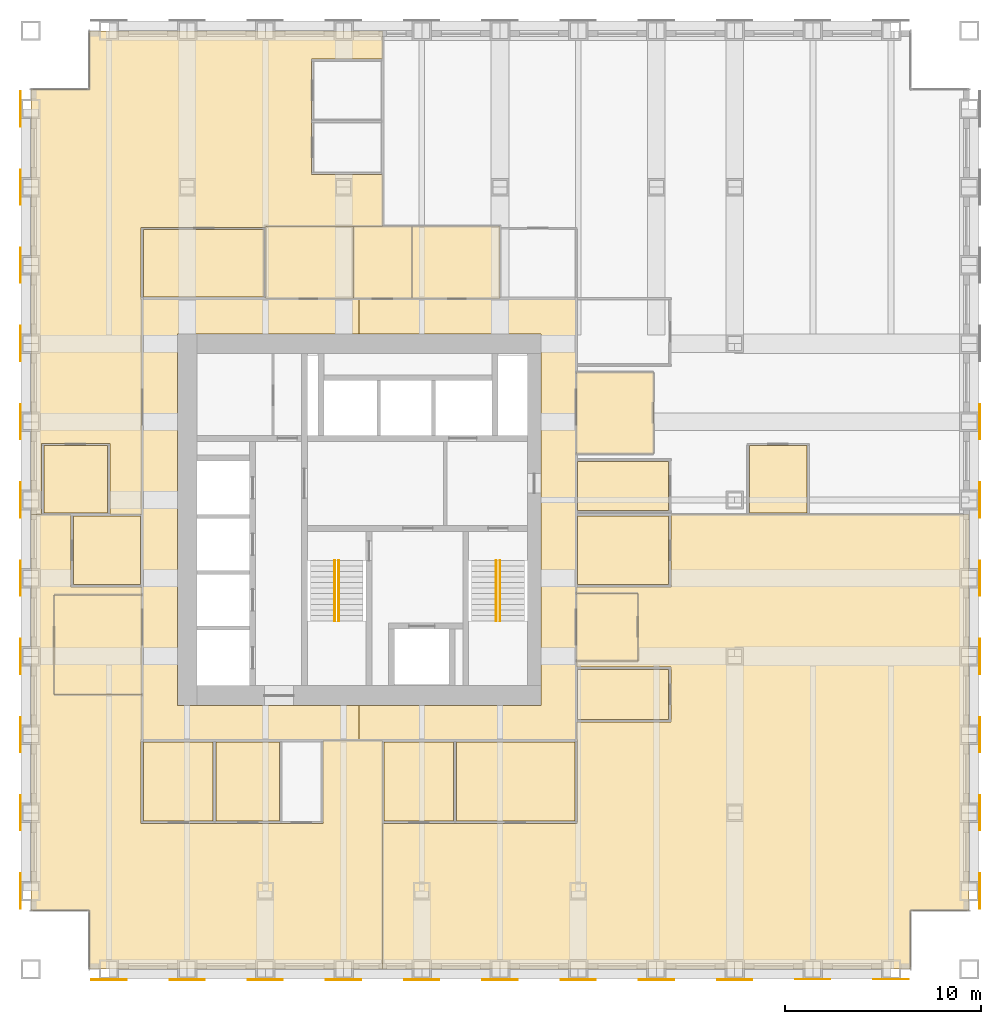
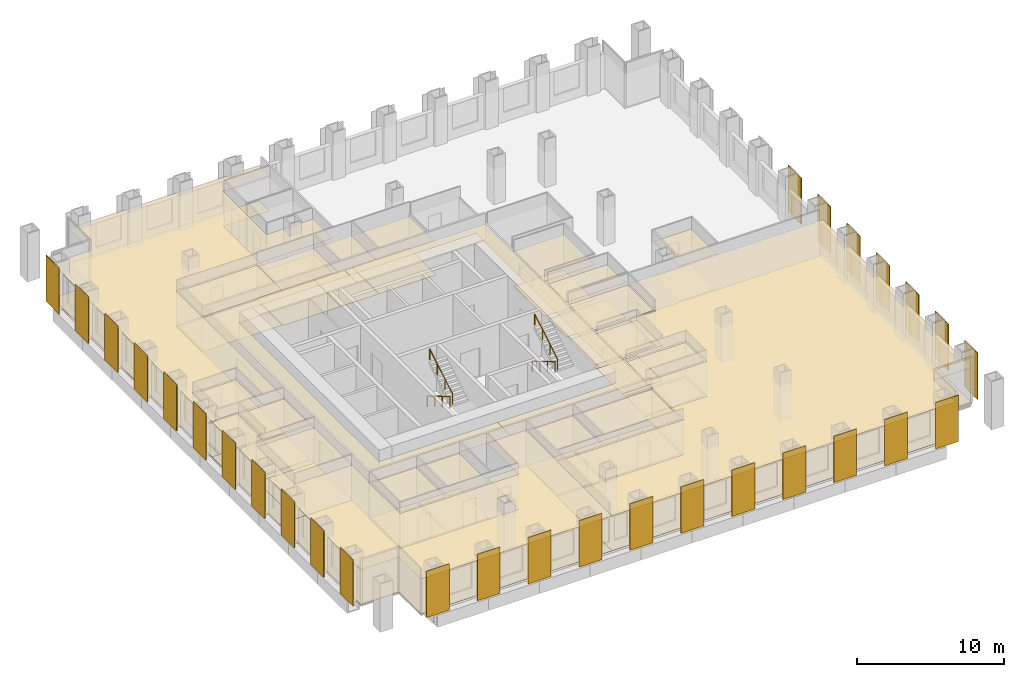
# One storey, part 15 of 16: 42 coverings, 29 shading devices, 4 railings.
"""IFC4 building model written with IfcOpenShell, lengths in metres."""

import ifcopenshell
import ifcopenshell.guid

model = None  # the IFC model being written
_history = None  # IfcOwnerHistory: only IFC2X3 demands one
_inside = {}  # id of a spatial element -> (the spatial element, [elements in it])
_under = {}  # id of a project, library or spatial element -> (it, [spatial elements below it])
_declared = {}  # id of a project -> (the project, [libraries it declares])
_typed = {}  # id of a type object -> (the type object, [elements of that type])
_made_of = {}  # id of a material, layer set ... -> (it, [elements and type objects made of it])


def new_model(schema):
    """Start an empty IFC model of exactly this schema.

    Asked for "IFC4X3", IfcOpenShell would pick the latest addendum, in which some entities
    have other attributes; the version numbers below select the first issue.
    IFC2X3 requires an IfcOwnerHistory on every rooted entity: one is made here for all.
    """
    global model, _history
    if schema == "IFC4X3":
        model = ifcopenshell.file(schema_version=(4, 3, 0, 0))
    else:
        model = ifcopenshell.file(schema=schema)
    _inside.clear()
    _under.clear()
    _declared.clear()
    _typed.clear()
    _made_of.clear()
    _history = None
    if model.schema == "IFC2X3":
        org = make("IfcOrganization", Name="unknown")
        user = make(
            "IfcPersonAndOrganization",
            ThePerson=make("IfcPerson", FamilyName="unknown"),
            TheOrganization=org,
        )
        app = make(
            "IfcApplication",
            ApplicationDeveloper=org,
            Version="unknown",
            ApplicationFullName="unknown",
            ApplicationIdentifier="unknown",
        )
        _history = make(
            "IfcOwnerHistory",
            OwningUser=user,
            OwningApplication=app,
            ChangeAction="ADDED",
            CreationDate=0,
        )
    return model


def make(cls, **values):
    """One entity of the class cls with the attributes given. An attribute that is None is left unset."""
    return model.create_entity(
        cls, **{name: value for name, value in values.items() if value is not None}
    )


def rooted(cls, **values):
    """An entity with a GlobalId (a new one), such as an element, a storey or a relation."""
    return make(cls, GlobalId=ifcopenshell.guid.new(), OwnerHistory=_history, **values)


def si_unit(unit_type, name, prefix=None):
    """IfcSIUnit, for example si_unit("LENGTHUNIT", "METRE", prefix="MILLI")."""
    return make("IfcSIUnit", UnitType=unit_type, Prefix=prefix, Name=name)


def assignment(units):
    """IfcUnitAssignment: the units of a project."""
    return None if units is None else make("IfcUnitAssignment", Units=units)


def point(xyz):
    """IfcCartesianPoint."""
    return None if xyz is None else make("IfcCartesianPoint", Coordinates=xyz)


def direction(xyz):
    """IfcDirection."""
    return None if xyz is None else make("IfcDirection", DirectionRatios=xyz)


def frame(location, z_axis=None, x_axis=None):
    """IfcAxis2Placement3D, a coordinate frame: its origin and axes. An axis left out is left unset."""
    return make(
        "IfcAxis2Placement3D",
        Location=point(location),
        Axis=direction(z_axis),
        RefDirection=direction(x_axis),
    )


def frame_2d(location, x_axis=None):
    """IfcAxis2Placement2D, a coordinate frame in the plane: its origin and x axis."""
    return make(
        "IfcAxis2Placement2D", Location=point(location), RefDirection=direction(x_axis)
    )


def origin():
    """The frame at (0, 0, 0) with its axes left unset."""
    return frame((0.0, 0.0, 0.0))


def origin_2d():
    """The frame at (0, 0) in the plane with its x axis left unset."""
    return frame_2d((0.0, 0.0))


def place(relative_to, where):
    """IfcLocalPlacement: puts the frame where relative to a parent placement (None: the world)."""
    return make(
        "IfcLocalPlacement", PlacementRelTo=relative_to, RelativePlacement=where
    )


def context(
    kind, dimensions, precision=None, world=None, true_north=None, identifier=None
):
    """IfcGeometricRepresentationContext, for example the 3D "Model" context."""
    return make(
        "IfcGeometricRepresentationContext",
        ContextIdentifier=identifier,
        ContextType=kind,
        CoordinateSpaceDimension=dimensions,
        Precision=precision,
        WorldCoordinateSystem=world,
        TrueNorth=true_north,
    )


def subcontext(parent, identifier, kind, view, scale=None):
    """IfcGeometricRepresentationSubContext, for example "Body" below "Model"."""
    return make(
        "IfcGeometricRepresentationSubContext",
        ContextIdentifier=identifier,
        ContextType=kind,
        ParentContext=parent,
        TargetScale=scale,
        TargetView=view,
    )


def project(units=None, contexts=None):
    """IfcProject with its units and contexts."""
    return rooted(
        "IfcProject",
        Name="project",
        RepresentationContexts=contexts,
        UnitsInContext=assignment(units),
    )


def spatial(cls, under=None, at=None, **own):
    """A site, building, storey or space (cls), placed at a placement, below another one or the project."""
    s = rooted(cls, ObjectPlacement=at, **own)
    if under is not None:
        _under.setdefault(under.id(), (under, []))[1].append(s)
    return s


def polyline(points):
    """IfcPolyline through the points."""
    return make("IfcPolyline", Points=[point(p) for p in points])


def profile(cls, at=None, kind="AREA", **sizes):
    """A parametric profile (cls). Its sizes go by their IFC names, for example OverallWidth=200.0."""
    return make(cls, ProfileType=kind, Position=at, **sizes)


def rectangle(**sizes):
    """IfcRectangleProfileDef."""
    return profile("IfcRectangleProfileDef", **sizes)


def circle(**sizes):
    """IfcCircleProfileDef."""
    return profile("IfcCircleProfileDef", **sizes)


def outline(outer, holes=None, kind="AREA"):
    """IfcArbitraryClosedProfileDef: a profile drawn as a closed curve; with holes, ...WithVoids."""
    if holes is None:
        return make("IfcArbitraryClosedProfileDef", ProfileType=kind, OuterCurve=outer)
    return make(
        "IfcArbitraryProfileDefWithVoids",
        ProfileType=kind,
        OuterCurve=outer,
        InnerCurves=holes,
    )


def extrude(swept, where, along, depth):
    """IfcExtrudedAreaSolid: the profile swept, set in the frame where, extruded along a direction by depth."""
    return make(
        "IfcExtrudedAreaSolid",
        SweptArea=swept,
        Position=where,
        ExtrudedDirection=direction(along),
        Depth=depth,
    )


def shape(context_of_items, identifier, shape_type, items):
    """IfcShapeRepresentation: the items that make up one representation, for example the "Body"."""
    return make(
        "IfcShapeRepresentation",
        ContextOfItems=context_of_items,
        RepresentationIdentifier=identifier,
        RepresentationType=shape_type,
        Items=items,
    )


def material(Name=None, Category=None):
    """IfcMaterial."""
    return make("IfcMaterial", Name=Name, Category=Category)


def layer(
    of_material, thickness, ventilated=None, Name=None, Category=None, Priority=None
):
    """IfcMaterialLayer: one layer of a wall or slab, of a material (None: an air gap)."""
    return make(
        "IfcMaterialLayer",
        Material=of_material,
        LayerThickness=thickness,
        IsVentilated=ventilated,
        Name=Name,
        Category=Category,
        Priority=Priority,
    )


def layer_set(layers, Name=None):
    """IfcMaterialLayerSet."""
    return make("IfcMaterialLayerSet", MaterialLayers=layers, LayerSetName=Name)


def made_of(thing, what):
    """Note that an element or type object is made of a material, layer set ...; save() writes the relation."""
    if what is not None:
        _made_of.setdefault(what.id(), (what, []))[1].append(thing)
    return thing


def type_object(cls, material=None, **own):
    """A type object (cls), such as IfcWallType, which elements share."""
    return made_of(rooted(cls, **own), material)


def element(
    cls,
    number,
    at=None,
    inside=None,
    cuts=None,
    type_object=None,
    material=None,
    context=None,
    identifier="Body",
    shape_type=None,
    held_by="IfcProductDefinitionShape",
    body=None,
    shapes=None,
    **own,
):
    """One element of the class cls, such as IfcWall. Its Tag is "e" and its number.

    at: its placement. inside: the storey or other place that contains it. cuts: it is an
    opening in that element (IfcRelVoidsElement). A single representation is given by context,
    identifier, shape_type and body (its items); several are given by shapes. held_by: the class
    of the entity that holds the representations. save() writes the other relations.
    """
    e = rooted(cls, Tag="e%d" % number, ObjectPlacement=at, **own)
    if body is not None:
        shapes = [shape(context, identifier, shape_type, body)]
    if shapes is not None:
        e.Representation = make(held_by, Representations=shapes)
    if inside is not None:
        _inside.setdefault(inside.id(), (inside, []))[1].append(e)
    if cuts is not None:
        rooted(
            "IfcRelVoidsElement", RelatingBuildingElement=cuts, RelatedOpeningElement=e
        )
    if type_object is not None:
        _typed.setdefault(type_object.id(), (type_object, []))[1].append(e)
    return made_of(e, material)


def aggregate(whole, parts):
    """IfcRelAggregates: a whole, such as a stair, and the parts it consists of."""
    return rooted("IfcRelAggregates", RelatingObject=whole, RelatedObjects=parts)


def save(model, path):
    """Write the relations noted so far, then the file.

    IfcRelAggregates (storeys below a building ...), IfcRelContainedInSpatialStructure (elements
    in a storey), IfcRelDefinesByType, IfcRelAssociatesMaterial and IfcRelDeclares: one each for
    every whole, place, type object, material and project.
    """
    for whole, parts in _under.values():
        aggregate(whole, parts)
    for where, things in _inside.values():
        rooted(
            "IfcRelContainedInSpatialStructure",
            RelatedElements=things,
            RelatingStructure=where,
        )
    for kind, things in _typed.values():
        rooted("IfcRelDefinesByType", RelatedObjects=things, RelatingType=kind)
    for what, things in _made_of.values():
        rooted("IfcRelAssociatesMaterial", RelatedObjects=things, RelatingMaterial=what)
    for by, libraries in _declared.values():
        rooted("IfcRelDeclares", RelatingContext=by, RelatedDefinitions=libraries)
    model.write(path)


model = new_model("IFC4")

# Units and contexts
model_context = context("Model", 3, precision=1e-05, world=origin(), true_north=direction((0.0, 1.0)))
body_context = subcontext(model_context, "Body", "Model", "MODEL_VIEW")
ifc_project = project(units=[si_unit("LENGTHUNIT", "METRE"), si_unit("AREAUNIT", "SQUARE_METRE"), si_unit("VOLUMEUNIT", "CUBIC_METRE"), si_unit("PLANEANGLEUNIT", "RADIAN"), si_unit("MASSUNIT", "GRAM", prefix="KILO")], contexts=[model_context])

# Site, building, storey
site_placement = place(None, origin())
site = spatial("IfcSite", under=ifc_project, at=site_placement, CompositionType="ELEMENT")
building_placement = place(site_placement, origin())
building = spatial("IfcBuilding", under=site, at=building_placement, Name="Rimbunsela Tower", CompositionType="ELEMENT")
storey_placement = place(building_placement, frame((0.0, 0.0, 129.39990234375)))
storey = spatial("IfcBuildingStorey", under=building, at=storey_placement, Name="L31", CompositionType="ELEMENT", Elevation=129.39990234375)

# Coverings
ifc_material_1 = material(Name="Nylon carpet tile", Category="textile")
ifc_layer_1 = layer(ifc_material_1, 0.010009765625)
ifc_layer_set_1 = layer_set([ifc_layer_1], Name="Carpet tile 10")
covering_type_1 = type_object("IfcCoveringType", Name="Carpet tile 10", PredefinedType="FLOORING", material=ifc_layer_set_1)
covering_1_placement = place(storey_placement, origin())
element("IfcCovering", 1, at=covering_1_placement, inside=storey, type_object=covering_type_1, Name="Floor finish Open office", PredefinedType="FLOORING", context=body_context, shape_type="SweptSolid", body=[
    extrude(outline(polyline([(19.449951171875, 11.449951171875), (22.75, 11.449951171875), (22.85009765625, 11.449951171875), (24.949951171875, 11.449951171875), (24.949951171875, 15.699951171875), (27.9990234375, 15.699951171875), (27.9990234375, 4.0), (15.699951171875, 4.0), (13.0, 4.0), (13.0, 7.0), (10.0, 7.0), (10.0, 27.2490234375), (12.050048828125, 27.2490234375), (12.050048828125, 23.549072265625), (15.699951171875, 23.549072265625), (15.699951171875, 23.14892578125), (11.199951171875, 23.14892578125), (11.199951171875, 18.049072265625), (15.699951171875, 18.049072265625), (15.699951171875, 15.75), (15.64990234375, 15.75), (15.64990234375, 11.449951171875), (15.699951171875, 11.449951171875), (19.35009765625, 11.449951171875), (19.449951171875, 11.449951171875)])), origin(), (0.0, 0.0, 1.0), 0.010009765625),
])
covering_2_placement = place(storey_placement, origin())
element("IfcCovering", 2, at=covering_2_placement, inside=storey, type_object=covering_type_1, Name="Floor finish Open office", PredefinedType="FLOORING", context=body_context, shape_type="SweptSolid", body=[
    extrude(outline(polyline([(15.64990234375, 41.949951171875), (15.64990234375, 38.25), (15.699951171875, 38.25), (15.699951171875, 27.2509765625), (14.050048828125, 27.2509765625), (14.050048828125, 30.89990234375), (10.550048828125, 30.89990234375), (10.550048828125, 27.2509765625), (10.0, 27.2509765625), (10.0, 49.0), (13.0, 49.0), (13.0, 52.0), (15.699951171875, 52.0), (27.9990234375, 52.0), (27.9990234375, 50.550048828125), (24.35009765625, 50.550048828125), (24.35009765625, 47.39990234375), (24.35009765625, 47.35009765625), (24.35009765625, 44.64990234375), (27.9990234375, 44.64990234375), (27.9990234375, 42.0), (22.0, 42.0), (22.0, 41.949951171875), (15.699951171875, 41.949951171875), (15.64990234375, 41.949951171875)])), origin(), (0.0, 0.0, 1.0), 0.010009765625),
])
covering_3_placement = place(storey_placement, origin())
element("IfcCovering", 3, at=covering_3_placement, inside=storey, type_object=covering_type_1, Name="Floor finish Open office", PredefinedType="FLOORING", context=body_context, shape_type="SweptSolid", body=[
    extrude(outline(polyline([(28.0009765625, 11.449951171875), (31.65087890625, 11.449951171875), (31.7509765625, 11.449951171875), (37.89990234375, 11.449951171875), (37.949951171875, 11.449951171875), (37.949951171875, 15.75), (37.89990234375, 15.75), (37.89990234375, 16.64990234375), (42.75, 16.64990234375), (42.75, 19.448974609375), (37.89990234375, 19.448974609375), (37.89990234375, 19.77392578125), (41.050048828125, 19.77392578125), (41.050048828125, 23.22412109375), (37.89990234375, 23.22412109375), (37.89990234375, 23.549072265625), (42.75, 23.549072265625), (42.75, 27.2490234375), (58.0, 27.2490234375), (58.0, 7.0), (55.0, 7.0), (55.0, 4.0), (37.89990234375, 4.0), (28.0009765625, 4.0), (28.0009765625, 11.449951171875)])), origin(), (0.0, 0.0, 1.0), 0.010009765625),
])
covering_4_placement = place(storey_placement, origin())
element("IfcCovering", 4, at=covering_4_placement, inside=storey, type_object=covering_type_1, Name="Floor finish Reception", PredefinedType="FLOORING", context=body_context, shape_type="SweptSolid", body=[
    extrude(outline(polyline([(15.699951171875, 18.049072265625), (15.699951171875, 23.14892578125), (11.199951171875, 23.14892578125), (11.199951171875, 18.049072265625), (15.699951171875, 18.049072265625)])), origin(), (0.0, 0.0, 1.0), 0.010009765625),
])
covering_5_placement = place(storey_placement, origin())
element("IfcCovering", 5, at=covering_5_placement, inside=storey, type_object=covering_type_1, Name="Floor finish Reception", PredefinedType="FLOORING", context=body_context, shape_type="SweptSolid", body=[
    extrude(outline(polyline([(41.050048828125, 19.77392578125), (41.050048828125, 23.22412109375), (37.89990234375, 23.22412109375), (37.89990234375, 19.77392578125), (41.050048828125, 19.77392578125)])), origin(), (0.0, 0.0, 1.0), 0.010009765625),
])
covering_6_placement = place(storey_placement, origin())
element("IfcCovering", 6, at=covering_6_placement, inside=storey, type_object=covering_type_1, Name="Floor finish Reception", PredefinedType="FLOORING", context=body_context, shape_type="SweptSolid", body=[
    extrude(outline(polyline([(41.85009765625, 30.3759765625), (41.85009765625, 34.52587890625), (37.89990234375, 34.52587890625), (37.89990234375, 30.3759765625), (41.85009765625, 30.3759765625)])), origin(), (0.0, 0.0, 1.0), 0.010009765625),
])
covering_7_placement = place(storey_placement, origin())
element("IfcCovering", 7, at=covering_7_placement, inside=storey, type_object=covering_type_1, Name="Floor finish Meeting room", PredefinedType="FLOORING", context=body_context, shape_type="SweptSolid", body=[
    extrude(outline(polyline([(19.324951171875, 11.574951171875), (19.324951171875, 15.625), (15.77490234375, 15.625), (15.77490234375, 11.574951171875), (19.324951171875, 11.574951171875)])), origin(), (0.0, 0.0, 1.0), 0.010009765625),
])
covering_8_placement = place(storey_placement, origin())
element("IfcCovering", 8, at=covering_8_placement, inside=storey, type_object=covering_type_1, Name="Floor finish Pantry", PredefinedType="FLOORING", context=body_context, shape_type="SweptSolid", body=[
    extrude(outline(polyline([(22.72509765625, 11.574951171875), (22.72509765625, 15.625), (19.47509765625, 15.625), (19.47509765625, 11.574951171875), (22.72509765625, 11.574951171875)])), origin(), (0.0, 0.0, 1.0), 0.010009765625),
])
covering_9_placement = place(storey_placement, origin())
element("IfcCovering", 9, at=covering_9_placement, inside=storey, type_object=covering_type_1, Name="Floor finish Office", PredefinedType="FLOORING", context=body_context, shape_type="SweptSolid", body=[
    extrude(outline(polyline([(15.625, 23.674072265625), (15.625, 27.174072265625), (12.175048828125, 27.174072265625), (12.175048828125, 23.674072265625), (15.625, 23.674072265625)])), origin(), (0.0, 0.0, 1.0), 0.010009765625),
])
covering_10_placement = place(storey_placement, origin())
element("IfcCovering", 10, at=covering_10_placement, inside=storey, type_object=covering_type_1, Name="Floor finish Meeting room", PredefinedType="FLOORING", context=body_context, shape_type="SweptSolid", body=[
    extrude(outline(polyline([(21.925048828125, 38.375), (21.925048828125, 41.824951171875), (15.77490234375, 41.824951171875), (15.77490234375, 38.375), (21.925048828125, 38.375)])), origin(), (0.0, 0.0, 1.0), 0.010009765625),
])
covering_11_placement = place(storey_placement, origin())
element("IfcCovering", 11, at=covering_11_placement, inside=storey, type_object=covering_type_1, Name="Floor finish Meeting room", PredefinedType="FLOORING", context=body_context, shape_type="SweptSolid", body=[
    extrude(outline(polyline([(31.6259765625, 11.574951171875), (31.6259765625, 15.625), (28.075927734375, 15.625), (28.075927734375, 11.574951171875), (31.6259765625, 11.574951171875)])), origin(), (0.0, 0.0, 1.0), 0.010009765625),
])
covering_12_placement = place(storey_placement, origin())
element("IfcCovering", 12, at=covering_12_placement, inside=storey, type_object=covering_type_1, Name="Floor finish Pantry", PredefinedType="FLOORING", context=body_context, shape_type="SweptSolid", body=[
    extrude(outline(polyline([(37.824951171875, 11.574951171875), (37.824951171875, 15.625), (31.77587890625, 15.625), (31.77587890625, 11.574951171875), (37.824951171875, 11.574951171875)])), origin(), (0.0, 0.0, 1.0), 0.010009765625),
])
covering_13_placement = place(storey_placement, origin())
element("IfcCovering", 13, at=covering_13_placement, inside=storey, type_object=covering_type_1, Name="Floor finish Print and copy room", PredefinedType="FLOORING", context=body_context, shape_type="SweptSolid", body=[
    extrude(outline(polyline([(42.625, 16.77490234375), (42.625, 19.323974609375), (37.97509765625, 19.323974609375), (37.97509765625, 16.77490234375), (42.625, 16.77490234375)])), origin(), (0.0, 0.0, 1.0), 0.010009765625),
])
covering_14_placement = place(storey_placement, origin())
element("IfcCovering", 14, at=covering_14_placement, inside=storey, type_object=covering_type_1, Name="Floor finish Office", PredefinedType="FLOORING", context=body_context, shape_type="SweptSolid", body=[
    extrude(outline(polyline([(42.625, 23.674072265625), (42.625, 27.174072265625), (37.97509765625, 27.174072265625), (37.97509765625, 23.674072265625), (42.625, 23.674072265625)])), origin(), (0.0, 0.0, 1.0), 0.010009765625),
])
covering_15_placement = place(storey_placement, origin())
element("IfcCovering", 15, at=covering_15_placement, inside=storey, type_object=covering_type_1, Name="Floor finish Pantry", PredefinedType="FLOORING", context=body_context, shape_type="SweptSolid", body=[
    extrude(outline(polyline([(13.925048828125, 27.324951171875), (13.925048828125, 30.77490234375), (10.675048828125, 30.77490234375), (10.675048828125, 27.324951171875), (13.925048828125, 27.324951171875)])), origin(), (0.0, 0.0, 1.0), 0.010009765625),
])
covering_16_placement = place(storey_placement, origin())
element("IfcCovering", 16, at=covering_16_placement, inside=storey, type_object=covering_type_1, Name="Floor finish Print and copy room", PredefinedType="FLOORING", context=body_context, shape_type="SweptSolid", body=[
    extrude(outline(polyline([(42.625, 27.47509765625), (42.625, 29.97509765625), (37.97509765625, 29.97509765625), (37.97509765625, 27.47509765625), (42.625, 27.47509765625)])), origin(), (0.0, 0.0, 1.0), 0.010009765625),
])
covering_17_placement = place(storey_placement, origin())
element("IfcCovering", 17, at=covering_17_placement, inside=storey, type_object=covering_type_1, Name="Floor finish Office", PredefinedType="FLOORING", context=body_context, shape_type="SweptSolid", body=[
    extrude(outline(polyline([(49.699951171875, 27.324951171875), (49.699951171875, 30.77490234375), (46.75, 30.77490234375), (46.75, 27.324951171875), (49.699951171875, 27.324951171875)])), origin(), (0.0, 0.0, 1.0), 0.010009765625),
])
ifc_material_2 = material(Name="Mineral fibre ceiling tile", Category="gypsum")
ifc_layer_2 = layer(ifc_material_2, 0.02001953125)
ifc_layer_set_2 = layer_set([ifc_layer_2], Name="Ceiling 600 grid")
covering_type_2 = type_object("IfcCoveringType", Name="Ceiling 600 grid", PredefinedType="CEILING", material=ifc_layer_set_2)
covering_18_placement = place(storey_placement, frame((0.0, 0.0, 2.900146484375)))
element("IfcCovering", 18, at=covering_18_placement, inside=storey, type_object=covering_type_2, Name="Ceiling Ring corridor", PredefinedType="CEILING", context=body_context, shape_type="SweptSolid", body=[
    extrude(outline(polyline([(15.699951171875, 38.300048828125), (26.800048828125, 38.300048828125), (26.800048828125, 36.5), (17.5, 36.5), (17.5, 17.5), (26.800048828125, 17.5), (26.800048828125, 15.699951171875), (15.699951171875, 15.699951171875), (15.699951171875, 38.300048828125)])), origin(), (0.0, 0.0, 1.0), 0.02001953125),
])
covering_19_placement = place(storey_placement, frame((0.0, 0.0, 2.900146484375)))
element("IfcCovering", 19, at=covering_19_placement, inside=storey, type_object=covering_type_2, Name="Ceiling Ring corridor", PredefinedType="CEILING", context=body_context, shape_type="SweptSolid", body=[
    extrude(outline(polyline([(37.89990234375, 38.300048828125), (37.89990234375, 15.699951171875), (26.800048828125, 15.699951171875), (26.800048828125, 17.5), (36.10009765625, 17.5), (36.10009765625, 36.5), (26.800048828125, 36.5), (26.800048828125, 38.300048828125), (37.89990234375, 38.300048828125)])), origin(), (0.0, 0.0, 1.0), 0.02001953125),
])
covering_20_placement = place(storey_placement, frame((0.0, 0.0, 2.900146484375)))
element("IfcCovering", 20, at=covering_20_placement, inside=storey, type_object=covering_type_2, Name="Ceiling Open office", PredefinedType="CEILING", context=body_context, shape_type="SweptSolid", body=[
    extrude(outline(polyline([(19.449951171875, 11.449951171875), (22.75, 11.449951171875), (22.85009765625, 11.449951171875), (24.949951171875, 11.449951171875), (24.949951171875, 15.699951171875), (27.9990234375, 15.699951171875), (27.9990234375, 4.0), (15.699951171875, 4.0), (13.0, 4.0), (13.0, 7.0), (10.0, 7.0), (10.0, 27.2490234375), (12.050048828125, 27.2490234375), (12.050048828125, 23.549072265625), (15.699951171875, 23.549072265625), (15.699951171875, 23.14892578125), (11.199951171875, 23.14892578125), (11.199951171875, 18.049072265625), (15.699951171875, 18.049072265625), (15.699951171875, 15.75), (15.64990234375, 15.75), (15.64990234375, 11.449951171875), (15.699951171875, 11.449951171875), (19.35009765625, 11.449951171875), (19.449951171875, 11.449951171875)])), origin(), (0.0, 0.0, 1.0), 0.02001953125),
])
covering_21_placement = place(storey_placement, frame((0.0, 0.0, 2.900146484375)))
element("IfcCovering", 21, at=covering_21_placement, inside=storey, type_object=covering_type_2, Name="Ceiling Open office", PredefinedType="CEILING", context=body_context, shape_type="SweptSolid", body=[
    extrude(outline(polyline([(15.64990234375, 41.949951171875), (15.64990234375, 38.25), (15.699951171875, 38.25), (15.699951171875, 27.2509765625), (14.050048828125, 27.2509765625), (14.050048828125, 30.89990234375), (10.550048828125, 30.89990234375), (10.550048828125, 27.2509765625), (10.0, 27.2509765625), (10.0, 49.0), (13.0, 49.0), (13.0, 52.0), (15.699951171875, 52.0), (27.9990234375, 52.0), (27.9990234375, 50.550048828125), (24.35009765625, 50.550048828125), (24.35009765625, 47.39990234375), (24.35009765625, 47.35009765625), (24.35009765625, 44.64990234375), (27.9990234375, 44.64990234375), (27.9990234375, 42.0), (22.0, 42.0), (22.0, 41.949951171875), (15.699951171875, 41.949951171875), (15.64990234375, 41.949951171875)])), origin(), (0.0, 0.0, 1.0), 0.02001953125),
])
covering_22_placement = place(storey_placement, frame((0.0, 0.0, 2.900146484375)))
element("IfcCovering", 22, at=covering_22_placement, inside=storey, type_object=covering_type_2, Name="Ceiling Open office", PredefinedType="CEILING", context=body_context, shape_type="SweptSolid", body=[
    extrude(outline(polyline([(28.0009765625, 11.449951171875), (31.65087890625, 11.449951171875), (31.7509765625, 11.449951171875), (37.89990234375, 11.449951171875), (37.949951171875, 11.449951171875), (37.949951171875, 15.75), (37.89990234375, 15.75), (37.89990234375, 16.64990234375), (42.75, 16.64990234375), (42.75, 19.448974609375), (37.89990234375, 19.448974609375), (37.89990234375, 19.77392578125), (41.050048828125, 19.77392578125), (41.050048828125, 23.22412109375), (37.89990234375, 23.22412109375), (37.89990234375, 23.549072265625), (42.75, 23.549072265625), (42.75, 27.2490234375), (58.0, 27.2490234375), (58.0, 7.0), (55.0, 7.0), (55.0, 4.0), (37.89990234375, 4.0), (28.0009765625, 4.0), (28.0009765625, 11.449951171875)])), origin(), (0.0, 0.0, 1.0), 0.02001953125),
])
covering_23_placement = place(storey_placement, frame((0.0, 0.0, 2.900146484375)))
element("IfcCovering", 23, at=covering_23_placement, inside=storey, type_object=covering_type_2, Name="Ceiling Reception", PredefinedType="CEILING", context=body_context, shape_type="SweptSolid", body=[
    extrude(outline(polyline([(15.699951171875, 18.049072265625), (15.699951171875, 23.14892578125), (11.199951171875, 23.14892578125), (11.199951171875, 18.049072265625), (15.699951171875, 18.049072265625)])), origin(), (0.0, 0.0, 1.0), 0.02001953125),
])
covering_24_placement = place(storey_placement, frame((0.0, 0.0, 2.900146484375)))
element("IfcCovering", 24, at=covering_24_placement, inside=storey, type_object=covering_type_2, Name="Ceiling Reception", PredefinedType="CEILING", context=body_context, shape_type="SweptSolid", body=[
    extrude(outline(polyline([(41.050048828125, 19.77392578125), (41.050048828125, 23.22412109375), (37.89990234375, 23.22412109375), (37.89990234375, 19.77392578125), (41.050048828125, 19.77392578125)])), origin(), (0.0, 0.0, 1.0), 0.02001953125),
])
covering_25_placement = place(storey_placement, frame((0.0, 0.0, 2.900146484375)))
element("IfcCovering", 25, at=covering_25_placement, inside=storey, type_object=covering_type_2, Name="Ceiling Reception", PredefinedType="CEILING", context=body_context, shape_type="SweptSolid", body=[
    extrude(outline(polyline([(41.85009765625, 30.3759765625), (41.85009765625, 34.52587890625), (37.89990234375, 34.52587890625), (37.89990234375, 30.3759765625), (41.85009765625, 30.3759765625)])), origin(), (0.0, 0.0, 1.0), 0.02001953125),
])
covering_26_placement = place(storey_placement, frame((0.0, 0.0, 2.900146484375)))
element("IfcCovering", 26, at=covering_26_placement, inside=storey, type_object=covering_type_2, Name="Ceiling Meeting room", PredefinedType="CEILING", context=body_context, shape_type="SweptSolid", body=[
    extrude(outline(polyline([(19.324951171875, 11.574951171875), (19.324951171875, 15.625), (15.77490234375, 15.625), (15.77490234375, 11.574951171875), (19.324951171875, 11.574951171875)])), origin(), (0.0, 0.0, 1.0), 0.02001953125),
])
covering_27_placement = place(storey_placement, frame((0.0, 0.0, 2.900146484375)))
element("IfcCovering", 27, at=covering_27_placement, inside=storey, type_object=covering_type_2, Name="Ceiling Pantry", PredefinedType="CEILING", context=body_context, shape_type="SweptSolid", body=[
    extrude(outline(polyline([(22.72509765625, 11.574951171875), (22.72509765625, 15.625), (19.47509765625, 15.625), (19.47509765625, 11.574951171875), (22.72509765625, 11.574951171875)])), origin(), (0.0, 0.0, 1.0), 0.02001953125),
])
covering_28_placement = place(storey_placement, frame((0.0, 0.0, 2.900146484375)))
element("IfcCovering", 28, at=covering_28_placement, inside=storey, type_object=covering_type_2, Name="Ceiling Office", PredefinedType="CEILING", context=body_context, shape_type="SweptSolid", body=[
    extrude(outline(polyline([(15.625, 23.674072265625), (15.625, 27.174072265625), (12.175048828125, 27.174072265625), (12.175048828125, 23.674072265625), (15.625, 23.674072265625)])), origin(), (0.0, 0.0, 1.0), 0.02001953125),
])
covering_29_placement = place(storey_placement, frame((0.0, 0.0, 2.900146484375)))
element("IfcCovering", 29, at=covering_29_placement, inside=storey, type_object=covering_type_2, Name="Ceiling Meeting room", PredefinedType="CEILING", context=body_context, shape_type="SweptSolid", body=[
    extrude(outline(polyline([(21.925048828125, 38.375), (21.925048828125, 41.824951171875), (15.77490234375, 41.824951171875), (15.77490234375, 38.375), (21.925048828125, 38.375)])), origin(), (0.0, 0.0, 1.0), 0.02001953125),
])
covering_30_placement = place(storey_placement, frame((0.0, 0.0, 2.900146484375)))
element("IfcCovering", 30, at=covering_30_placement, inside=storey, type_object=covering_type_2, Name="Ceiling Meeting room", PredefinedType="CEILING", context=body_context, shape_type="SweptSolid", body=[
    extrude(outline(polyline([(31.6259765625, 11.574951171875), (31.6259765625, 15.625), (28.075927734375, 15.625), (28.075927734375, 11.574951171875), (31.6259765625, 11.574951171875)])), origin(), (0.0, 0.0, 1.0), 0.02001953125),
])
covering_31_placement = place(storey_placement, frame((0.0, 0.0, 2.900146484375)))
element("IfcCovering", 31, at=covering_31_placement, inside=storey, type_object=covering_type_2, Name="Ceiling Pantry", PredefinedType="CEILING", context=body_context, shape_type="SweptSolid", body=[
    extrude(outline(polyline([(37.824951171875, 11.574951171875), (37.824951171875, 15.625), (31.77587890625, 15.625), (31.77587890625, 11.574951171875), (37.824951171875, 11.574951171875)])), origin(), (0.0, 0.0, 1.0), 0.02001953125),
])
covering_32_placement = place(storey_placement, frame((0.0, 0.0, 2.900146484375)))
element("IfcCovering", 32, at=covering_32_placement, inside=storey, type_object=covering_type_2, Name="Ceiling Print and copy room", PredefinedType="CEILING", context=body_context, shape_type="SweptSolid", body=[
    extrude(outline(polyline([(42.625, 16.77490234375), (42.625, 19.323974609375), (37.97509765625, 19.323974609375), (37.97509765625, 16.77490234375), (42.625, 16.77490234375)])), origin(), (0.0, 0.0, 1.0), 0.02001953125),
])
covering_33_placement = place(storey_placement, frame((0.0, 0.0, 2.900146484375)))
element("IfcCovering", 33, at=covering_33_placement, inside=storey, type_object=covering_type_2, Name="Ceiling Office", PredefinedType="CEILING", context=body_context, shape_type="SweptSolid", body=[
    extrude(outline(polyline([(42.625, 23.674072265625), (42.625, 27.174072265625), (37.97509765625, 27.174072265625), (37.97509765625, 23.674072265625), (42.625, 23.674072265625)])), origin(), (0.0, 0.0, 1.0), 0.02001953125),
])
covering_34_placement = place(storey_placement, frame((0.0, 0.0, 2.900146484375)))
element("IfcCovering", 34, at=covering_34_placement, inside=storey, type_object=covering_type_2, Name="Ceiling Pantry", PredefinedType="CEILING", context=body_context, shape_type="SweptSolid", body=[
    extrude(outline(polyline([(13.925048828125, 27.324951171875), (13.925048828125, 30.77490234375), (10.675048828125, 30.77490234375), (10.675048828125, 27.324951171875), (13.925048828125, 27.324951171875)])), origin(), (0.0, 0.0, 1.0), 0.02001953125),
])
covering_35_placement = place(storey_placement, frame((0.0, 0.0, 2.900146484375)))
element("IfcCovering", 35, at=covering_35_placement, inside=storey, type_object=covering_type_2, Name="Ceiling Print and copy room", PredefinedType="CEILING", context=body_context, shape_type="SweptSolid", body=[
    extrude(outline(polyline([(42.625, 27.47509765625), (42.625, 29.97509765625), (37.97509765625, 29.97509765625), (37.97509765625, 27.47509765625), (42.625, 27.47509765625)])), origin(), (0.0, 0.0, 1.0), 0.02001953125),
])
covering_36_placement = place(storey_placement, frame((0.0, 0.0, 2.900146484375)))
element("IfcCovering", 36, at=covering_36_placement, inside=storey, type_object=covering_type_2, Name="Ceiling Office", PredefinedType="CEILING", context=body_context, shape_type="SweptSolid", body=[
    extrude(outline(polyline([(49.699951171875, 27.324951171875), (49.699951171875, 30.77490234375), (46.75, 30.77490234375), (46.75, 27.324951171875), (49.699951171875, 27.324951171875)])), origin(), (0.0, 0.0, 1.0), 0.02001953125),
])
ifc_material_3 = material(Name="Moisture-resistant plasterboard ceiling", Category="gypsum")
ifc_layer_3 = layer(ifc_material_3, 0.012451171875)
ifc_layer_set_3 = layer_set([ifc_layer_3], Name="Ceiling moisture-resistant board")
covering_type_3 = type_object("IfcCoveringType", Name="Ceiling moisture-resistant board", PredefinedType="CEILING", material=ifc_layer_set_3)
covering_37_placement = place(storey_placement, frame((0.0, 0.0, 2.60009765625)))
element("IfcCovering", 37, at=covering_37_placement, inside=storey, type_object=covering_type_3, Name="Ceiling Female WC", PredefinedType="CEILING", context=body_context, shape_type="SweptSolid", body=[
    extrude(outline(polyline([(26.5, 38.300048828125), (26.5, 42.0), (22.0, 42.0), (22.0, 38.300048828125), (26.5, 38.300048828125)])), origin(), (0.0, 0.0, 1.0), 0.02001953125),
])
covering_38_placement = place(storey_placement, frame((0.0, 0.0, 2.60009765625)))
element("IfcCovering", 38, at=covering_38_placement, inside=storey, type_object=covering_type_3, Name="Ceiling Accessible WC", PredefinedType="CEILING", context=body_context, shape_type="SweptSolid", body=[
    extrude(outline(polyline([(29.5, 38.300048828125), (29.5, 42.0), (26.5, 42.0), (26.5, 38.300048828125), (29.5, 38.300048828125)])), origin(), (0.0, 0.0, 1.0), 0.02001953125),
])
covering_39_placement = place(storey_placement, frame((0.0, 0.0, 2.60009765625)))
element("IfcCovering", 39, at=covering_39_placement, inside=storey, type_object=covering_type_3, Name="Ceiling Male WC", PredefinedType="CEILING", context=body_context, shape_type="SweptSolid", body=[
    extrude(outline(polyline([(34.0, 38.300048828125), (34.0, 42.0), (29.5, 42.0), (29.5, 38.300048828125), (34.0, 38.300048828125)])), origin(), (0.0, 0.0, 1.0), 0.02001953125),
])
ifc_material_4 = material(Name="Porcelain floor tile in adhesive bed", Category="ceramic")
ifc_layer_4 = layer(ifc_material_4, 0.02001953125)
ifc_layer_set_4 = layer_set([ifc_layer_4], Name="Porcelain tile 20")
covering_type_4 = type_object("IfcCoveringType", Name="Porcelain tile 20", PredefinedType="FLOORING", material=ifc_layer_set_4)
covering_40_placement = place(storey_placement, origin())
element("IfcCovering", 40, at=covering_40_placement, inside=storey, type_object=covering_type_4, Name="Floor finish Female WC", PredefinedType="FLOORING", context=body_context, shape_type="SweptSolid", body=[
    extrude(outline(polyline([(26.5, 38.300048828125), (26.5, 42.0), (22.0, 42.0), (22.0, 38.300048828125), (26.5, 38.300048828125)])), origin(), (0.0, 0.0, 1.0), 0.02001953125),
])
covering_41_placement = place(storey_placement, origin())
element("IfcCovering", 41, at=covering_41_placement, inside=storey, type_object=covering_type_4, Name="Floor finish Accessible WC", PredefinedType="FLOORING", context=body_context, shape_type="SweptSolid", body=[
    extrude(outline(polyline([(29.5, 38.300048828125), (29.5, 42.0), (26.5, 42.0), (26.5, 38.300048828125), (29.5, 38.300048828125)])), origin(), (0.0, 0.0, 1.0), 0.02001953125),
])
covering_42_placement = place(storey_placement, origin())
element("IfcCovering", 42, at=covering_42_placement, inside=storey, type_object=covering_type_4, Name="Floor finish Male WC", PredefinedType="FLOORING", context=body_context, shape_type="SweptSolid", body=[
    extrude(outline(polyline([(34.0, 38.300048828125), (34.0, 42.0), (29.5, 42.0), (29.5, 38.300048828125), (34.0, 38.300048828125)])), origin(), (0.0, 0.0, 1.0), 0.02001953125),
])

# Shading devices
ifc_material_5 = material(Name="Perforated aluminium, 35 % open area", Category="aluminium")
ifc_layer_5 = layer(ifc_material_5, 0.050048828125)
ifc_layer_set_5 = layer_set([ifc_layer_5], Name="Solar screen panel 1800")
shading_device_type = type_object("IfcShadingDeviceType", Name="Solar screen panel 1800", PredefinedType="USERDEFINED", material=ifc_layer_set_5)
for number, where, z_axis, x_axis, name in (
    (43, (14.0, 3.47509765625, 0.0), (0.0, 0.0, 1.0), (1.0, 0.0, 0.0), "Solar screen S L31"),
    (44, (18.0, 3.47509765625, 0.0), (0.0, 0.0, 1.0), (1.0, 0.0, 0.0), "Solar screen S L31"),
    (45, (22.0, 3.47509765625, 0.0), (0.0, 0.0, 1.0), (1.0, 0.0, 0.0), "Solar screen S L31"),
    (46, (26.0, 3.47509765625, 0.0), (0.0, 0.0, 1.0), (1.0, 0.0, 0.0), "Solar screen S L31"),
    (47, (30.0, 3.47509765625, 0.0), (0.0, 0.0, 1.0), (1.0, 0.0, 0.0), "Solar screen S L31"),
    (48, (34.0, 3.47509765625, 0.0), (0.0, 0.0, 1.0), (1.0, 0.0, 0.0), "Solar screen S L31"),
    (49, (38.0, 3.47509765625, 0.0), (0.0, 0.0, 1.0), (1.0, 0.0, 0.0), "Solar screen S L31"),
    (50, (42.0, 3.47509765625, 0.0), (0.0, 0.0, 1.0), (1.0, 0.0, 0.0), "Solar screen S L31"),
    (51, (46.0, 3.47509765625, 0.0), (0.0, 0.0, 1.0), (1.0, 0.0, 0.0), "Solar screen S L31"),
    (52, (50.0, 3.47509765625, 0.0), (0.0, 0.0, 1.0), (1.0, 0.0, 0.0), "Solar screen S L31"),
    (53, (54.0, 3.47509765625, 0.0), (0.0, 0.0, 1.0), (1.0, 0.0, 0.0), "Solar screen S L31"),
    (54, (58.52490234375, 8.0, 0.0), (0.0, 0.0, 1.0), (0.0, 1.0, 0.0), "Solar screen E L31"),
    (55, (58.52490234375, 12.0, 0.0), (0.0, 0.0, 1.0), (0.0, 1.0, 0.0), "Solar screen E L31"),
    (56, (58.52490234375, 16.0, 0.0), (0.0, 0.0, 1.0), (0.0, 1.0, 0.0), "Solar screen E L31"),
    (57, (58.52490234375, 20.0, 0.0), (0.0, 0.0, 1.0), (0.0, 1.0, 0.0), "Solar screen E L31"),
    (58, (58.52490234375, 24.0, 0.0), (0.0, 0.0, 1.0), (0.0, 1.0, 0.0), "Solar screen E L31"),
    (59, (58.52490234375, 28.0, 0.0), (0.0, 0.0, 1.0), (0.0, 1.0, 0.0), "Solar screen E L31"),
    (60, (58.52490234375, 32.0, 0.0), (0.0, 0.0, 1.0), (0.0, 1.0, 0.0), "Solar screen E L31"),
    (61, (9.47509765625, 8.0, 0.0), (0.0, 0.0, 1.0), (0.0, 1.0, 0.0), "Solar screen W L31"),
    (62, (9.47509765625, 12.0, 0.0), (0.0, 0.0, 1.0), (0.0, 1.0, 0.0), "Solar screen W L31"),
    (63, (9.47509765625, 16.0, 0.0), (0.0, 0.0, 1.0), (0.0, 1.0, 0.0), "Solar screen W L31"),
    (64, (9.47509765625, 20.0, 0.0), (0.0, 0.0, 1.0), (0.0, 1.0, 0.0), "Solar screen W L31"),
    (65, (9.47509765625, 24.0, 0.0), (0.0, 0.0, 1.0), (0.0, 1.0, 0.0), "Solar screen W L31"),
    (66, (9.47509765625, 28.0, 0.0), (0.0, 0.0, 1.0), (0.0, 1.0, 0.0), "Solar screen W L31"),
    (67, (9.47509765625, 32.0, 0.0), (0.0, 0.0, 1.0), (0.0, 1.0, 0.0), "Solar screen W L31"),
    (68, (9.47509765625, 36.0, 0.0), (0.0, 0.0, 1.0), (0.0, 1.0, 0.0), "Solar screen W L31"),
    (69, (9.47509765625, 40.0, 0.0), (0.0, 0.0, 1.0), (0.0, 1.0, 0.0), "Solar screen W L31"),
    (70, (9.47509765625, 44.0, 0.0), (0.0, 0.0, 1.0), (0.0, 1.0, 0.0), "Solar screen W L31"),
    (71, (9.47509765625, 48.0, 0.0), (0.0, 0.0, 1.0), (0.0, 1.0, 0.0), "Solar screen W L31"),
):
    element("IfcShadingDevice", number, at=place(storey_placement, frame(where, z_axis=z_axis, x_axis=x_axis)), inside=storey, type_object=shading_device_type, Name=name, ObjectType="SCREEN", PredefinedType="USERDEFINED", context=body_context, shape_type="SweptSolid", body=[
        extrude(rectangle(XDim=1.800048828125, YDim=0.050048828125, at=origin_2d()), origin(), (0.0, 0.0, 1.0), 3.85009765625),
    ])

# Railings
ifc_material_6 = material(Name="Stainless steel tube", Category="steel")
railing_type = type_object("IfcRailingType", Name="Stair handrail 900", PredefinedType="HANDRAIL", material=ifc_material_6)
railing_1_placement = place(storey_placement, frame((25.550048828125, 24.89990234375, 0.166748046875)))
element("IfcRailing", 72, at=railing_1_placement, inside=storey, type_object=railing_type, Name="Handrail ST-A flight 1", PredefinedType="HANDRAIL", context=body_context, shape_type="SweptSolid", body=[
    extrude(circle(Radius=0.02392578125, at=origin_2d()), frame((0.0, 0.0, 0.8759765625), z_axis=(0.0, -0.859290745958, 0.51148745235), x_axis=(1.0, 0.0, 0.0)), (0.0, 0.0, 1.0), 3.584228515625),
    extrude(circle(Radius=0.02099609375, at=origin_2d()), origin(), (0.0, 0.0, 1.0), 0.851806640625),
    extrude(circle(Radius=0.02099609375, at=origin_2d()), frame((0.0, -1.026611328125, 0.611083984375)), (0.0, 0.0, 1.0), 0.851806640625),
    extrude(circle(Radius=0.02099609375, at=origin_2d()), frame((0.0, -2.05322265625, 1.22216796875)), (0.0, 0.0, 1.0), 0.851806640625),
    extrude(circle(Radius=0.02099609375, at=origin_2d()), frame((0.0, -3.079833984375, 1.833251953125)), (0.0, 0.0, 1.0), 0.851806640625),
])
railing_2_placement = place(storey_placement, frame((25.75, 21.820068359375, 2.166748046875)))
element("IfcRailing", 73, at=railing_2_placement, inside=storey, type_object=railing_type, Name="Handrail ST-A flight 2", PredefinedType="HANDRAIL", context=body_context, shape_type="SweptSolid", body=[
    extrude(circle(Radius=0.02392578125, at=origin_2d()), frame((0.0, 0.0, 0.8759765625), z_axis=(0.0, 0.859290745958, 0.51148745235), x_axis=(-1.0, 0.0, 0.0)), (0.0, 0.0, 1.0), 3.584228515625),
    extrude(circle(Radius=0.02099609375, at=origin_2d()), origin(), (0.0, 0.0, 1.0), 0.851806640625),
    extrude(circle(Radius=0.02099609375, at=origin_2d()), frame((0.0, 1.026611328125, 0.611083984375)), (0.0, 0.0, 1.0), 0.851806640625),
    extrude(circle(Radius=0.02099609375, at=origin_2d()), frame((0.0, 2.05322265625, 1.22216796875)), (0.0, 0.0, 1.0), 0.851806640625),
    extrude(circle(Radius=0.02099609375, at=origin_2d()), frame((0.0, 3.079833984375, 1.833251953125)), (0.0, 0.0, 1.0), 0.851806640625),
])
railing_3_placement = place(storey_placement, frame((33.800048828125, 24.89990234375, 0.166748046875)))
element("IfcRailing", 74, at=railing_3_placement, inside=storey, type_object=railing_type, Name="Handrail ST-B flight 1", PredefinedType="HANDRAIL", context=body_context, shape_type="SweptSolid", body=[
    extrude(circle(Radius=0.02392578125, at=origin_2d()), frame((0.0, 0.0, 0.8759765625), z_axis=(0.0, -0.859290745958, 0.51148745235), x_axis=(1.0, 0.0, 0.0)), (0.0, 0.0, 1.0), 3.584228515625),
    extrude(circle(Radius=0.02099609375, at=origin_2d()), origin(), (0.0, 0.0, 1.0), 0.851806640625),
    extrude(circle(Radius=0.02099609375, at=origin_2d()), frame((0.0, -1.026611328125, 0.611083984375)), (0.0, 0.0, 1.0), 0.851806640625),
    extrude(circle(Radius=0.02099609375, at=origin_2d()), frame((0.0, -2.05322265625, 1.22216796875)), (0.0, 0.0, 1.0), 0.851806640625),
    extrude(circle(Radius=0.02099609375, at=origin_2d()), frame((0.0, -3.079833984375, 1.833251953125)), (0.0, 0.0, 1.0), 0.851806640625),
])
railing_4_placement = place(storey_placement, frame((34.0, 21.820068359375, 2.166748046875)))
element("IfcRailing", 75, at=railing_4_placement, inside=storey, type_object=railing_type, Name="Handrail ST-B flight 2", PredefinedType="HANDRAIL", context=body_context, shape_type="SweptSolid", body=[
    extrude(circle(Radius=0.02392578125, at=origin_2d()), frame((0.0, 0.0, 0.8759765625), z_axis=(0.0, 0.859290745958, 0.51148745235), x_axis=(-1.0, 0.0, 0.0)), (0.0, 0.0, 1.0), 3.584228515625),
    extrude(circle(Radius=0.02099609375, at=origin_2d()), origin(), (0.0, 0.0, 1.0), 0.851806640625),
    extrude(circle(Radius=0.02099609375, at=origin_2d()), frame((0.0, 1.026611328125, 0.611083984375)), (0.0, 0.0, 1.0), 0.851806640625),
    extrude(circle(Radius=0.02099609375, at=origin_2d()), frame((0.0, 2.05322265625, 1.22216796875)), (0.0, 0.0, 1.0), 0.851806640625),
    extrude(circle(Radius=0.02099609375, at=origin_2d()), frame((0.0, 3.079833984375, 1.833251953125)), (0.0, 0.0, 1.0), 0.851806640625),
])

save(model, "model.ifc")
